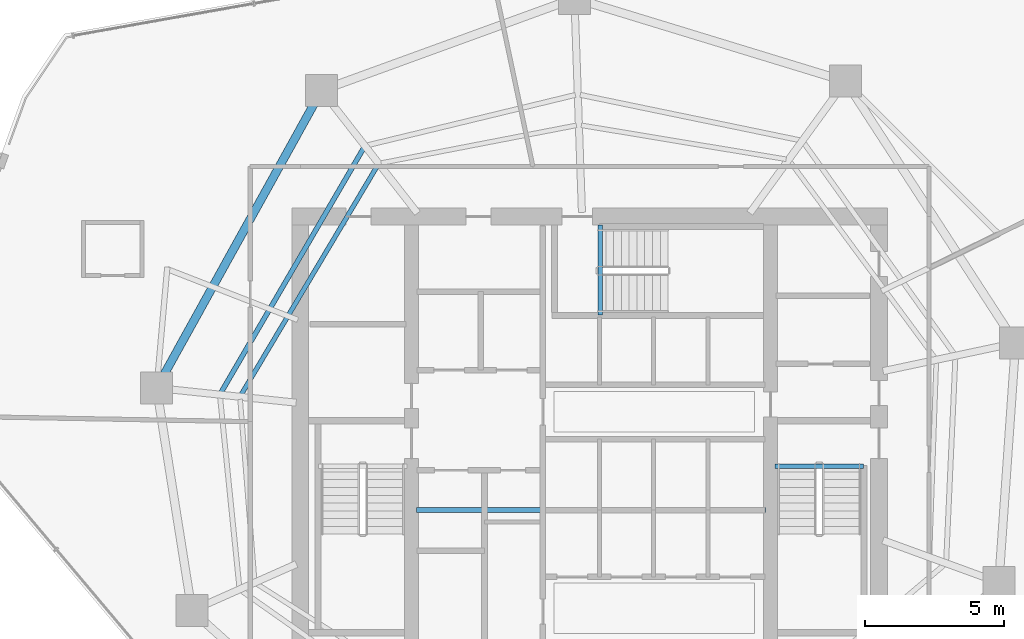
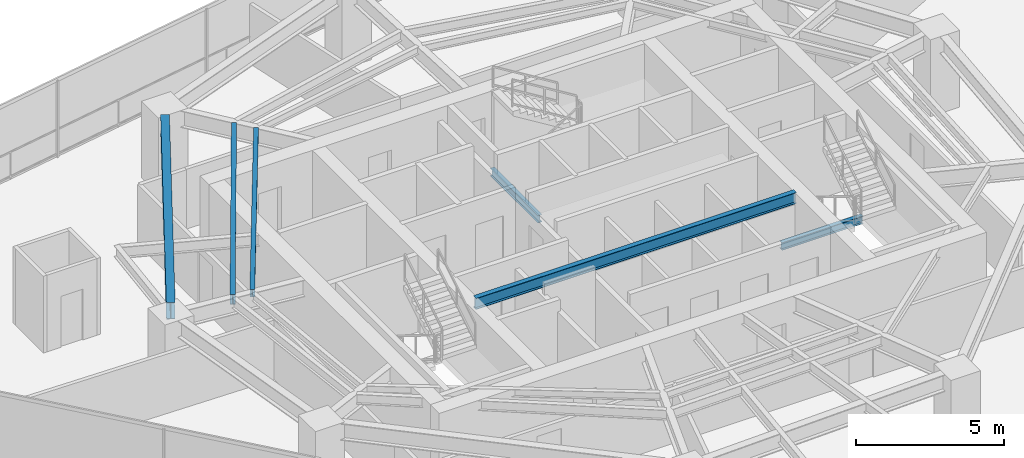
# One storey, part 10 of 27: 6 beams.
"""IFC4 building model written with IfcOpenShell, lengths in metres."""

from ifc_helpers import new_model, si_unit, direction, frame, origin, origin_2d, place, context, subcontext, project, spatial, i_section, extrude, material, material_profile, profile_set, type_object, element, save


model = new_model("IFC4")

# Units and contexts
model_context = context("Model", 3, precision=1e-05, world=origin(), true_north=direction((0.0, 1.0)))
body_context = subcontext(model_context, "Body", "Model", "MODEL_VIEW")
ifc_project = project(units=[si_unit("LENGTHUNIT", "METRE"), si_unit("AREAUNIT", "SQUARE_METRE"), si_unit("VOLUMEUNIT", "CUBIC_METRE"), si_unit("PLANEANGLEUNIT", "RADIAN"), si_unit("MASSUNIT", "GRAM", prefix="KILO")], contexts=[model_context])

# Site, building, storey
site_placement = place(None, origin())
site = spatial("IfcSite", under=ifc_project, at=site_placement, CompositionType="ELEMENT")
building_placement = place(site_placement, origin())
building = spatial("IfcBuilding", under=site, at=building_placement, Name="Qarnah Convention Tower", CompositionType="ELEMENT")
storey_placement = place(building_placement, frame((0.0, 0.0, 103.949951171875)))
storey = spatial("IfcBuildingStorey", under=building, at=storey_placement, Name="L27", CompositionType="ELEMENT", Elevation=103.949951171875)

# Beams
ifc_material = material(Name="Structural steel S355JR", Category="steel")
ifc_material_profile_1 = material_profile(ifc_material, i_section(OverallWidth=0.19189453125, OverallDepth=0.464111328125, WebThickness=0.010986328125, FlangeThickness=0.01806640625, at=origin_2d()), Name="W460X89")
ifc_profile_set_1 = profile_set([ifc_material_profile_1], Name="Structural steel S355JR")
beam_type_1 = type_object("IfcBeamType", Name="BM-CANT-W460A", PredefinedType="BEAM", material=ifc_profile_set_1)
beam_1_placement = place(storey_placement, frame((30.97998046875, 23.64990234375, 2.93798828125), z_axis=(1.0, 0.0, 0.0), x_axis=(0.0, 1.0, 0.0)))
element("IfcBeam", 1, at=beam_1_placement, inside=storey, type_object=beam_type_1, Name="L27 beam BM-L27-KC1", PredefinedType="BEAM", context=body_context, shape_type="SweptSolid", body=[
    extrude(i_section(OverallWidth=0.19189453125, OverallDepth=0.464111328125, WebThickness=0.010986328125, FlangeThickness=0.01806640625, at=origin_2d()), origin(), (0.0, 0.0, 1.0), 12.5400390625),
])
ifc_material_profile_2 = material_profile(ifc_material, i_section(OverallWidth=0.166015625, OverallDepth=0.31201171875, WebThickness=0.007080078125, FlangeThickness=0.010986328125, at=origin_2d()), Name="W310X45")
ifc_profile_set_2 = profile_set([ifc_material_profile_2], Name="Structural steel S355JR")
beam_type_2 = type_object("IfcBeamType", Name="BM-JST-W310", PredefinedType="JOIST", material=ifc_profile_set_2)
beam_2_placement = place(storey_placement, frame((43.860107421875, 25.217041015625, -0.156005859375), z_axis=(1.0, 0.0, 0.0), x_axis=(0.0, 1.0, 0.0)))
element("IfcBeam", 2, at=beam_2_placement, inside=storey, type_object=beam_type_2, Name="L27 stair landing trimmer beam BM-L27-ST2-TRM", PredefinedType="BEAM", context=body_context, shape_type="SweptSolid", body=[
    extrude(i_section(OverallWidth=0.166015625, OverallDepth=0.31201171875, WebThickness=0.007080078125, FlangeThickness=0.010986328125, at=origin_2d()), origin(), (0.0, 0.0, 1.0), 3.179931640625),
])
beam_3_placement = place(storey_placement, frame((37.5830078125, 30.659912109375, -0.156005859375), z_axis=(0.0, 1.0, 0.0), x_axis=(-1.0, 0.0, 0.0)))
element("IfcBeam", 3, at=beam_3_placement, inside=storey, type_object=beam_type_2, Name="L27 stair landing trimmer beam BM-L27-ST3-TRM", PredefinedType="BEAM", context=body_context, shape_type="SweptSolid", body=[
    extrude(i_section(OverallWidth=0.166015625, OverallDepth=0.31201171875, WebThickness=0.007080078125, FlangeThickness=0.010986328125, at=origin_2d()), origin(), (0.0, 0.0, 1.0), 3.239990234375),
])
beam_4_placement = place(storey_placement, frame((29.572998046875, 36.02587890625, 3.01416015625), z_axis=(-0.511368642738, -0.859361455515, 0.0), x_axis=(0.859361455515, -0.511368642738, 0.0)))
element("IfcBeam", 4, at=beam_4_placement, inside=storey, type_object=beam_type_2, Name="L27 joist BM-L27-IJST-04", PredefinedType="JOIST", context=body_context, shape_type="SweptSolid", body=[
    extrude(i_section(OverallWidth=0.166015625, OverallDepth=0.31201171875, WebThickness=0.007080078125, FlangeThickness=0.010986328125, at=origin_2d()), origin(), (0.0, 0.0, 1.0), 9.57421875),
])
ifc_material_profile_3 = material_profile(ifc_material, i_section(OverallWidth=0.177978515625, OverallDepth=0.407958984375, WebThickness=0.008056640625, FlangeThickness=0.012939453125, at=origin_2d()), Name="W410X60")
ifc_profile_set_3 = profile_set([ifc_material_profile_3], Name="Structural steel S355JR")
beam_type_3 = type_object("IfcBeamType", Name="BM-JST-W410", PredefinedType="JOIST", material=ifc_profile_set_3)
beam_5_placement = place(storey_placement, frame((29.077880859375, 36.659912109375, 2.966064453125), z_axis=(-0.503905353002, -0.863758875622, 0.0), x_axis=(0.863758875622, -0.503905353002, 0.0)))
element("IfcBeam", 5, at=beam_5_placement, inside=storey, type_object=beam_type_3, Name="L27 joist BM-L27-SJST-04", PredefinedType="JOIST", context=body_context, shape_type="SweptSolid", body=[
    extrude(i_section(OverallWidth=0.177978515625, OverallDepth=0.407958984375, WebThickness=0.008056640625, FlangeThickness=0.012939453125, at=origin_2d()), origin(), (0.0, 0.0, 1.0), 10.170654296875),
])
ifc_material_profile_4 = material_profile(ifc_material, i_section(OverallWidth=0.300048828125, OverallDepth=0.699951171875, WebThickness=0.01708984375, FlangeThickness=0.031982421875, at=origin_2d()), Name="HEB700")
ifc_profile_set_4 = profile_set([ifc_material_profile_4], Name="Structural steel S355JR")
beam_type_4 = type_object("IfcBeamType", Name="BM-RING-HEB700", PredefinedType="BEAM", material=ifc_profile_set_4)
beam_6_placement = place(storey_placement, frame((27.291015625, 38.238037109375, 2.820068359375), z_axis=(-0.484800448222, -0.874624791212, 0.0), x_axis=(0.874624791212, -0.484800448222, 0.0)))
element("IfcBeam", 6, at=beam_6_placement, inside=storey, type_object=beam_type_4, Name="L27 beam BM-L27-SPN-04", PredefinedType="BEAM", context=body_context, shape_type="SweptSolid", body=[
    extrude(i_section(OverallWidth=0.300048828125, OverallDepth=0.699951171875, WebThickness=0.01708984375, FlangeThickness=0.031982421875, at=origin_2d()), origin(), (0.0, 0.0, 1.0), 11.099609375),
])

save(model, "model.ifc")
